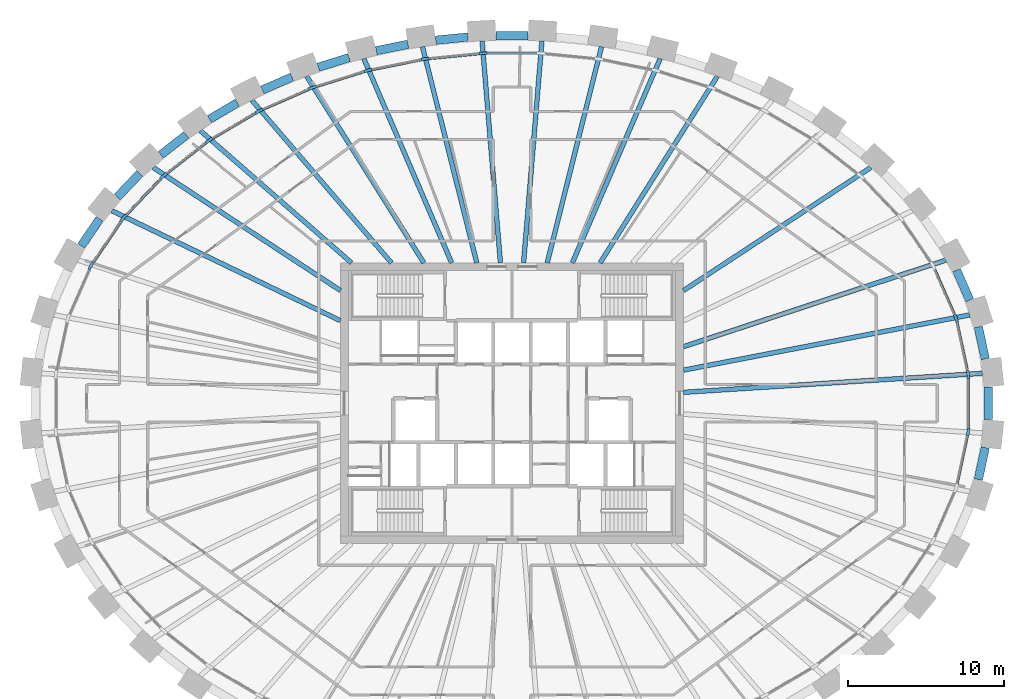
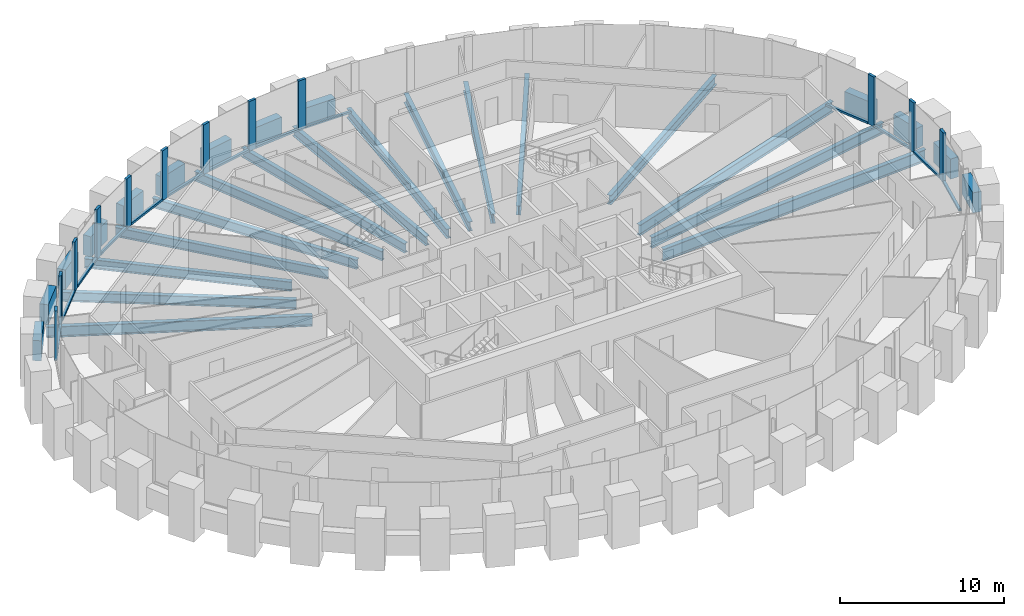
# One storey, part 3 of 12: 29 beams, 25 members, 1 element without a shape of its own.
"""IFC4 building model written with IfcOpenShell, lengths in metres."""

from ifc_helpers import new_model, si_unit, direction, frame, origin, origin_2d, place, context, subcontext, project, spatial, rectangle, i_section, extrude, source, transform, mapped, material, material_profile, profile_set, type_object, element, aggregate, save


model = new_model("IFC4")

# Units and contexts
model_context = context("Model", 3, precision=1e-05, world=origin(), true_north=direction((0.0, 1.0)))
body_context = subcontext(model_context, "Body", "Model", "MODEL_VIEW")
ifc_project = project(units=[si_unit("LENGTHUNIT", "METRE"), si_unit("AREAUNIT", "SQUARE_METRE"), si_unit("VOLUMEUNIT", "CUBIC_METRE"), si_unit("PLANEANGLEUNIT", "RADIAN"), si_unit("MASSUNIT", "GRAM", prefix="KILO")], contexts=[model_context])

# Site, building, storey
site_placement = place(None, origin())
site = spatial("IfcSite", under=ifc_project, at=site_placement, CompositionType="ELEMENT")
building_placement = place(site_placement, origin())
building = spatial("IfcBuilding", under=site, at=building_placement, Name="Embergate Tower", CompositionType="ELEMENT")
storey_placement = place(building_placement, frame((0.0, 0.0, 301.300048828125)))
storey = spatial("IfcBuildingStorey", under=building, at=storey_placement, Name="L70", CompositionType="ELEMENT", Elevation=301.300048828125)

# Beams
ifc_material_1 = material(Name="Steel Q355B", Category="steel")
ifc_material_profile_1 = material_profile(ifc_material_1, i_section(OverallWidth=0.300048828125, OverallDepth=0.699951171875, WebThickness=0.012939453125, FlangeThickness=0.02392578125, FilletRadius=0.01806640625, at=origin_2d()), Name="HN 700x300x13x24")
ifc_profile_set_1 = profile_set([ifc_material_profile_1], Name="Steel Q355 grade B")
beam_type_1 = type_object("IfcBeamType", Name="Radial girder HN 700x300x13x24", PredefinedType="BEAM", material=ifc_profile_set_1)
shared_shape_1 = source(origin(), body_context, "Body", "SweptSolid", [
    extrude(i_section(OverallWidth=0.300048828125, OverallDepth=0.699951171875, WebThickness=0.012939453125, FlangeThickness=0.02392578125, FilletRadius=0.01806640625, at=origin_2d()), origin(), (0.0, 0.0, 1.0), 13.742431640625),
])
beam_1_placement = place(storey_placement, frame((-16.681884765625, 19.426025390625, -0.550048828125), z_axis=(0.651474345674, -0.758670664339, 0.0), x_axis=(0.758670664339, 0.651474345674, 0.0)))
element("IfcBeam", 1, at=beam_1_placement, inside=storey, type_object=beam_type_1, Name="GIR-L70-15", PredefinedType="BEAM", context=body_context, shape_type="MappedRepresentation", body=[
    mapped(shared_shape_1, transform((0.0, 0.0, 0.0))),
])
ifc_material_2 = material(Name="Concrete C50", Category="concrete")
ifc_material_profile_2 = material_profile(ifc_material_2, rectangle(XDim=0.550048828125, YDim=1.5, at=origin_2d()), Name="RC 550x1500")
ifc_profile_set_2 = profile_set([ifc_material_profile_2], Name="Concrete C50")
beam_type_2 = type_object("IfcBeamType", Name="Spandrel beam RC 550x1500 C50", PredefinedType="BEAM", material=ifc_profile_set_2)
shared_shape_2 = source(origin(), body_context, "Body", "SweptSolid", [
    extrude(rectangle(XDim=0.550048828125, YDim=1.5, at=origin_2d()), origin(), (0.0, 0.0, 1.0), 2.10107421875),
])
for number, where, z_axis, x_axis, name in (
    (2, (30.346923828125, 2.841064453125, 0.0), (-0.210330547493, 0.977630329312, 0.0), (-0.977630329312, -0.210330547493, 0.0), "SPN-L70-00"),
    (3, (29.905029296875, -4.89501953125, 0.0), (0.210330547493, 0.977630329312, 0.0), (-0.977630329312, 0.210330547493, 0.0), "SPN-L70-42"),
):
    element("IfcBeam", number, at=place(storey_placement, frame(where, z_axis=z_axis, x_axis=x_axis)), inside=storey, type_object=beam_type_2, Name=name, PredefinedType="BEAM", context=body_context, shape_type="MappedRepresentation", body=[
        mapped(shared_shape_2, transform((0.0, 0.0, 0.0))),
    ])
shared_shape_3 = source(origin(), body_context, "Body", "SweptSolid", [
    extrude(rectangle(XDim=0.550048828125, YDim=1.5, at=origin_2d()), origin(), (0.0, 0.0, 1.0), 2.097900390625),
])
beam_2_placement = place(storey_placement, frame((29.35107421875, 6.60791015625, 0.0), z_axis=(-0.401825860592, 0.91571610107, 0.0), x_axis=(-0.91571610107, -0.401825860592, 0.0)))
element("IfcBeam", 4, at=beam_2_placement, inside=storey, type_object=beam_type_2, Name="SPN-L70-01", PredefinedType="BEAM", context=body_context, shape_type="MappedRepresentation", body=[
    mapped(shared_shape_3, transform((0.0, 0.0, 0.0))),
])
shared_shape_4 = source(origin(), body_context, "Body", "SweptSolid", [
    extrude(rectangle(XDim=0.550048828125, YDim=1.5, at=origin_2d()), origin(), (0.0, 0.0, 1.0), 2.09033203125),
])
beam_3_placement = place(storey_placement, frame((-26.444091796875, 11.822998046875, 0.0), z_axis=(-0.562009695033, -0.827130644269, 0.0), x_axis=(0.827130644269, -0.562009695033, 0.0)))
element("IfcBeam", 5, at=beam_3_placement, inside=storey, type_object=beam_type_2, Name="SPN-L70-18", PredefinedType="BEAM", context=body_context, shape_type="MappedRepresentation", body=[
    mapped(shared_shape_4, transform((0.0, 0.0, 0.0))),
])
shared_shape_5 = source(origin(), body_context, "Body", "SweptSolid", [
    extrude(rectangle(XDim=0.550048828125, YDim=1.5, at=origin_2d()), origin(), (0.0, 0.0, 1.0), 2.08447265625),
])
beam_4_placement = place(storey_placement, frame((-23.8740234375, 14.73095703125, 0.0), z_axis=(-0.690339235394, -0.72348582576, 0.0), x_axis=(0.72348582576, -0.690339235394, 0.0)))
element("IfcBeam", 6, at=beam_4_placement, inside=storey, type_object=beam_type_2, Name="SPN-L70-17", PredefinedType="BEAM", context=body_context, shape_type="MappedRepresentation", body=[
    mapped(shared_shape_5, transform((0.0, 0.0, 0.0))),
])
shared_shape_6 = source(origin(), body_context, "Body", "SweptSolid", [
    extrude(rectangle(XDim=0.550048828125, YDim=1.5, at=origin_2d()), origin(), (0.0, 0.0, 1.0), 2.0791015625),
])
beam_5_placement = place(storey_placement, frame((-20.887939453125, 17.2041015625, 0.0), z_axis=(-0.788383845435, -0.615183641084, 0.0), x_axis=(0.615183641084, -0.788383845435, 0.0)))
element("IfcBeam", 7, at=beam_5_placement, inside=storey, type_object=beam_type_2, Name="SPN-L70-16", PredefinedType="BEAM", context=body_context, shape_type="MappedRepresentation", body=[
    mapped(shared_shape_6, transform((0.0, 0.0, 0.0))),
])
shared_shape_7 = source(origin(), body_context, "Body", "SweptSolid", [
    extrude(rectangle(XDim=0.550048828125, YDim=1.5, at=origin_2d()), origin(), (0.0, 0.0, 1.0), 2.074462890625),
])
beam_6_placement = place(storey_placement, frame((-17.611083984375, 19.26806640625, 0.0), z_axis=(-0.861864620017, -0.507138419726, 0.0), x_axis=(0.507138419726, -0.861864620017, 0.0)))
element("IfcBeam", 8, at=beam_6_placement, inside=storey, type_object=beam_type_2, Name="SPN-L70-15", PredefinedType="BEAM", context=body_context, shape_type="MappedRepresentation", body=[
    mapped(shared_shape_7, transform((0.0, 0.0, 0.0))),
])
shared_shape_8 = source(origin(), body_context, "Body", "SweptSolid", [
    extrude(rectangle(XDim=0.550048828125, YDim=1.5, at=origin_2d()), origin(), (0.0, 0.0, 1.0), 2.073486328125),
])
beam_7_placement = place(storey_placement, frame((-14.10791015625, 20.916015625, 0.0), z_axis=(-0.91637608024, -0.400318472673, 0.0), x_axis=(0.400318472673, -0.91637608024, 0.0)))
element("IfcBeam", 9, at=beam_7_placement, inside=storey, type_object=beam_type_2, Name="SPN-L70-14", PredefinedType="BEAM", context=body_context, shape_type="MappedRepresentation", body=[
    mapped(shared_shape_8, transform((0.0, 0.0, 0.0))),
])
shared_shape_9 = source(origin(), body_context, "Body", "SweptSolid", [
    extrude(rectangle(XDim=0.550048828125, YDim=1.5, at=origin_2d()), origin(), (0.0, 0.0, 1.0), 2.07080078125),
])
beam_8_placement = place(storey_placement, frame((-10.445068359375, 22.160888671875, 0.0), z_axis=(-0.954735561173, -0.297455892917, 0.0), x_axis=(0.297455892917, -0.954735561173, 0.0)))
element("IfcBeam", 10, at=beam_8_placement, inside=storey, type_object=beam_type_2, Name="SPN-L70-13", PredefinedType="BEAM", context=body_context, shape_type="MappedRepresentation", body=[
    mapped(shared_shape_9, transform((0.0, 0.0, 0.0))),
])
shared_shape_10 = source(origin(), body_context, "Body", "SweptSolid", [
    extrude(rectangle(XDim=0.550048828125, YDim=1.5, at=origin_2d()), origin(), (0.0, 0.0, 1.0), 2.070556640625),
])
beam_9_placement = place(storey_placement, frame((-6.6708984375, 23.013916015625, 0.0), z_axis=(-0.980398860457, -0.197023030165, 0.0), x_axis=(0.197023030165, -0.980398860457, 0.0)))
element("IfcBeam", 11, at=beam_9_placement, inside=storey, type_object=beam_type_2, Name="SPN-L70-12", PredefinedType="BEAM", context=body_context, shape_type="MappedRepresentation", body=[
    mapped(shared_shape_10, transform((0.0, 0.0, 0.0))),
])
shared_shape_11 = source(origin(), body_context, "Body", "SweptSolid", [
    extrude(rectangle(XDim=0.550048828125, YDim=1.5, at=origin_2d()), origin(), (0.0, 0.0, 1.0), 2.06884765625),
])
beam_10_placement = place(storey_placement, frame((-2.83203125, 23.48095703125, 0.0), z_axis=(-0.995226952233, -0.097587466149, 0.0), x_axis=(0.097587466149, -0.995226952233, 0.0)))
element("IfcBeam", 12, at=beam_10_placement, inside=storey, type_object=beam_type_2, Name="SPN-L70-11", PredefinedType="BEAM", context=body_context, shape_type="MappedRepresentation", body=[
    mapped(shared_shape_11, transform((0.0, 0.0, 0.0))),
])
shared_shape_12 = source(origin(), body_context, "Body", "SweptSolid", [
    extrude(rectangle(XDim=0.550048828125, YDim=1.5, at=origin_2d()), origin(), (0.0, 0.0, 1.0), 2.06982421875),
])
beam_11_placement = place(storey_placement, frame((1.034912109375, 23.569091796875, 0.0), z_axis=(-1.0, 0.0, 0.0), x_axis=(0.0, -1.0, 0.0)))
element("IfcBeam", 13, at=beam_11_placement, inside=storey, type_object=beam_type_2, Name="SPN-L70-10", PredefinedType="BEAM", context=body_context, shape_type="MappedRepresentation", body=[
    mapped(shared_shape_12, transform((0.0, 0.0, 0.0))),
])
shared_shape_13 = source(origin(), body_context, "Body", "SweptSolid", [
    extrude(rectangle(XDim=0.550048828125, YDim=1.5, at=origin_2d()), origin(), (0.0, 0.0, 1.0), 2.10205078125),
])
beam_12_placement = place(storey_placement, frame((30.5380859375, -1.051025390625, 0.0), z_axis=(0.0, 1.0, 0.0), x_axis=(-1.0, 0.0, 0.0)))
element("IfcBeam", 14, at=beam_12_placement, inside=storey, type_object=beam_type_2, Name="SPN-L70-43", PredefinedType="BEAM", context=body_context, shape_type="MappedRepresentation", body=[
    mapped(shared_shape_13, transform((0.0, 0.0, 0.0))),
])
ifc_material_profile_3 = material_profile(ifc_material_1, i_section(OverallWidth=0.300048828125, OverallDepth=0.89990234375, WebThickness=0.01611328125, FlangeThickness=0.028076171875, FilletRadius=0.028076171875, at=origin_2d()), Name="HN 900x300x16x28")
ifc_profile_set_3 = profile_set([ifc_material_profile_3], Name="Steel Q355 grade B")
beam_type_3 = type_object("IfcBeamType", Name="Radial girder HN 900x300x16x28", PredefinedType="BEAM", material=ifc_profile_set_3)
shared_shape_14 = source(origin(), body_context, "Body", "SweptSolid", [
    extrude(i_section(OverallWidth=0.300048828125, OverallDepth=0.89990234375, WebThickness=0.01611328125, FlangeThickness=0.028076171875, FilletRadius=0.028076171875, at=origin_2d()), origin(), (0.0, 0.0, 1.0), 19.20166015625),
])
beam_13_placement = place(storey_placement, frame((30.1630859375, 1.916015625, -0.650146484375), z_axis=(-0.997989342147, -0.063381960844, 0.0), x_axis=(0.063381960844, -0.997989342147, 0.0)))
element("IfcBeam", 15, at=beam_13_placement, inside=storey, type_object=beam_type_3, Name="GIR-L70-00", PredefinedType="BEAM", context=body_context, shape_type="MappedRepresentation", body=[
    mapped(shared_shape_14, transform((0.0, 0.0, 0.0))),
])
ifc_material_profile_4 = material_profile(ifc_material_1, i_section(OverallWidth=0.300048828125, OverallDepth=0.800048828125, WebThickness=0.013916015625, FlangeThickness=0.02587890625, FilletRadius=0.028076171875, at=origin_2d()), Name="HN 800x300x14x26")
ifc_profile_set_4 = profile_set([ifc_material_profile_4], Name="Steel Q355 grade B")
beam_type_4 = type_object("IfcBeamType", Name="Radial girder HN 800x300x14x26", PredefinedType="BEAM", material=ifc_profile_set_4)
shared_shape_15 = source(origin(), body_context, "Body", "SweptSolid", [
    extrude(i_section(OverallWidth=0.300048828125, OverallDepth=0.800048828125, WebThickness=0.013916015625, FlangeThickness=0.02587890625, FilletRadius=0.028076171875, at=origin_2d()), origin(), (0.0, 0.0, 1.0), 18.6943359375),
])
beam_14_placement = place(storey_placement, frame((29.35595703125, 5.6630859375, -0.60009765625), z_axis=(-0.981896924723, -0.189416021549, 0.0), x_axis=(0.189416021549, -0.981896924723, 0.0)))
element("IfcBeam", 16, at=beam_14_placement, inside=storey, type_object=beam_type_4, Name="GIR-L70-01", PredefinedType="BEAM", context=body_context, shape_type="MappedRepresentation", body=[
    mapped(shared_shape_15, transform((0.0, 0.0, 0.0))),
])
shared_shape_16 = source(origin(), body_context, "Body", "SweptSolid", [
    extrude(i_section(OverallWidth=0.300048828125, OverallDepth=0.800048828125, WebThickness=0.013916015625, FlangeThickness=0.02587890625, FilletRadius=0.028076171875, at=origin_2d()), origin(), (0.0, 0.0, 1.0), 17.70703125),
])
beam_15_placement = place(storey_placement, frame((27.81591796875, 9.174072265625, -0.60009765625), z_axis=(-0.949680910183, -0.313219042897, 0.0), x_axis=(0.313219042897, -0.949680910183, 0.0)))
element("IfcBeam", 17, at=beam_15_placement, inside=storey, type_object=beam_type_4, Name="GIR-L70-02", PredefinedType="BEAM", context=body_context, shape_type="MappedRepresentation", body=[
    mapped(shared_shape_16, transform((0.0, 0.0, 0.0))),
])
shared_shape_17 = source(origin(), body_context, "Body", "SweptSolid", [
    extrude(i_section(OverallWidth=0.300048828125, OverallDepth=0.800048828125, WebThickness=0.013916015625, FlangeThickness=0.02587890625, FilletRadius=0.028076171875, at=origin_2d()), origin(), (0.0, 0.0, 1.0), 16.268310546875),
])
beam_16_placement = place(storey_placement, frame((-25.659912109375, 12.344970703125, -0.60009765625), z_axis=(0.901133717561, -0.433541258791, 0.0), x_axis=(0.433541258791, 0.901133717561, 0.0)))
element("IfcBeam", 18, at=beam_16_placement, inside=storey, type_object=beam_type_4, Name="GIR-L70-18", PredefinedType="BEAM", context=body_context, shape_type="MappedRepresentation", body=[
    mapped(shared_shape_17, transform((0.0, 0.0, 0.0))),
])
shared_shape_18 = source(origin(), body_context, "Body", "SweptSolid", [
    extrude(i_section(OverallWidth=0.300048828125, OverallDepth=0.699951171875, WebThickness=0.012939453125, FlangeThickness=0.02392578125, FilletRadius=0.01806640625, at=origin_2d()), origin(), (0.0, 0.0, 1.0), 14.3740234375),
])
for number, where, z_axis, x_axis, name in (
    (19, (23.012939453125, 15.1201171875, -0.550048828125), (-0.835742226811, -0.549121963069, 0.0), (0.549121963069, -0.835742226811, 0.0), "GIR-L70-04"),
    (20, (-23.012939453125, 15.1201171875, -0.550048828125), (0.835742226811, -0.549121963069, 0.0), (0.549121963069, 0.835742226811, 0.0), "GIR-L70-17"),
):
    element("IfcBeam", number, at=place(storey_placement, frame(where, z_axis=z_axis, x_axis=x_axis)), inside=storey, type_object=beam_type_1, Name=name, PredefinedType="BEAM", context=body_context, shape_type="MappedRepresentation", body=[
        mapped(shared_shape_18, transform((0.0, 0.0, 0.0))),
    ])
shared_shape_19 = source(origin(), body_context, "Body", "SweptSolid", [
    extrude(i_section(OverallWidth=0.300048828125, OverallDepth=0.699951171875, WebThickness=0.012939453125, FlangeThickness=0.02392578125, FilletRadius=0.01806640625, at=origin_2d()), origin(), (0.0, 0.0, 1.0), 12.88330078125),
])
beam_17_placement = place(storey_placement, frame((-19.989013671875, 17.48095703125, -0.550048828125), z_axis=(0.752760969036, -0.658293949157, 0.0), x_axis=(0.658293949157, 0.752760969036, 0.0)))
element("IfcBeam", 21, at=beam_17_placement, inside=storey, type_object=beam_type_1, Name="GIR-L70-16", PredefinedType="BEAM", context=body_context, shape_type="MappedRepresentation", body=[
    mapped(shared_shape_19, transform((0.0, 0.0, 0.0))),
])
shared_shape_20 = source(origin(), body_context, "Body", "SweptSolid", [
    extrude(i_section(OverallWidth=0.300048828125, OverallDepth=0.699951171875, WebThickness=0.012939453125, FlangeThickness=0.02392578125, FilletRadius=0.01806640625, at=origin_2d()), origin(), (0.0, 0.0, 1.0), 14.126953125),
])
for number, where, z_axis, x_axis, name in (
    (22, (13.166015625, 20.962890625, -0.550048828125), (-0.531886600535, -0.846815590416, 0.0), (0.846815590416, -0.531886600535, 0.0), "GIR-L70-07"),
    (23, (-13.166015625, 20.962890625, -0.550048828125), (0.531886600535, -0.846815590416, 0.0), (0.846815590416, 0.531886600535, 0.0), "GIR-L70-14"),
):
    element("IfcBeam", number, at=place(storey_placement, frame(where, z_axis=z_axis, x_axis=x_axis)), inside=storey, type_object=beam_type_1, Name=name, PredefinedType="BEAM", context=body_context, shape_type="MappedRepresentation", body=[
        mapped(shared_shape_20, transform((0.0, 0.0, 0.0))),
    ])
shared_shape_21 = source(origin(), body_context, "Body", "SweptSolid", [
    extrude(i_section(OverallWidth=0.300048828125, OverallDepth=0.699951171875, WebThickness=0.012939453125, FlangeThickness=0.02392578125, FilletRadius=0.01806640625, at=origin_2d()), origin(), (0.0, 0.0, 1.0), 14.263427734375),
])
for number, where, z_axis, x_axis, name in (
    (24, (9.501953125, 22.10400390625, -0.550048828125), (-0.394929229866, -0.918711545262, 0.0), (0.918711545262, -0.394929229866, 0.0), "GIR-L70-08"),
    (25, (-9.501953125, 22.10400390625, -0.550048828125), (0.394929229866, -0.918711545262, 0.0), (0.918711545262, 0.394929229866, 0.0), "GIR-L70-13"),
):
    element("IfcBeam", number, at=place(storey_placement, frame(where, z_axis=z_axis, x_axis=x_axis)), inside=storey, type_object=beam_type_1, Name=name, PredefinedType="BEAM", context=body_context, shape_type="MappedRepresentation", body=[
        mapped(shared_shape_21, transform((0.0, 0.0, 0.0))),
    ])
shared_shape_22 = source(origin(), body_context, "Body", "SweptSolid", [
    extrude(i_section(OverallWidth=0.300048828125, OverallDepth=0.699951171875, WebThickness=0.012939453125, FlangeThickness=0.02392578125, FilletRadius=0.01806640625, at=origin_2d()), origin(), (0.0, 0.0, 1.0), 14.288818359375),
])
for number, where, z_axis, x_axis, name in (
    (26, (5.738037109375, 22.85888671875, -0.550048828125), (-0.243476248961, -0.969906859545, 0.0), (0.969906859545, -0.243476248961, 0.0), "GIR-L70-09"),
    (27, (-5.738037109375, 22.85888671875, -0.550048828125), (0.243476248961, -0.969906859545, 0.0), (0.969906859545, 0.243476248961, 0.0), "GIR-L70-12"),
):
    element("IfcBeam", number, at=place(storey_placement, frame(where, z_axis=z_axis, x_axis=x_axis)), inside=storey, type_object=beam_type_1, Name=name, PredefinedType="BEAM", context=body_context, shape_type="MappedRepresentation", body=[
        mapped(shared_shape_22, transform((0.0, 0.0, 0.0))),
    ])
shared_shape_23 = source(origin(), body_context, "Body", "SweptSolid", [
    extrude(i_section(OverallWidth=0.300048828125, OverallDepth=0.699951171875, WebThickness=0.012939453125, FlangeThickness=0.02392578125, FilletRadius=0.01806640625, at=origin_2d()), origin(), (0.0, 0.0, 1.0), 14.282470703125),
])
for number, where, z_axis, x_axis, name in (
    (28, (1.9189453125, 23.23388671875, -0.550048828125), (-0.082340957712, -0.996604217673, 0.0), (0.996604217673, -0.082340957712, 0.0), "GIR-L70-10"),
    (29, (-1.9189453125, 23.23388671875, -0.550048828125), (0.082340957712, -0.996604217673, 0.0), (0.996604217673, 0.082340957712, 0.0), "GIR-L70-11"),
):
    element("IfcBeam", number, at=place(storey_placement, frame(where, z_axis=z_axis, x_axis=x_axis)), inside=storey, type_object=beam_type_1, Name=name, PredefinedType="BEAM", context=body_context, shape_type="MappedRepresentation", body=[
        mapped(shared_shape_23, transform((0.0, 0.0, 0.0))),
    ])

# Curtain wall, members
ifc_material_3 = material(Name="Aluminium and glass", Category="aluminium")
curtain_wall_type = type_object("IfcCurtainWallType", Name="Recessed office glazing", PredefinedType="NOTDEFINED", material=ifc_material_3)
curtain_wall_placement = place(storey_placement, origin())
curtain_wall = element("IfcCurtainWall", 30, at=curtain_wall_placement, inside=storey, type_object=curtain_wall_type, Name="Recessed office glazing ring", ObjectType="RECESSED OFFICE GLAZING", PredefinedType="USERDEFINED")
ifc_material_4 = material(Name="Aluminium, thermally broken", Category="aluminium")
ifc_material_profile_5 = material_profile(ifc_material_4, rectangle(XDim=0.179931640625, YDim=0.52001953125, at=origin_2d()), Name="AL 520x180")
ifc_profile_set_5 = profile_set([ifc_material_profile_5], Name="Aluminium, thermally broken")
member_type_1 = type_object("IfcMemberType", Name="Office mullion", PredefinedType="MULLION", material=ifc_profile_set_5)
shared_shape_24 = source(origin(), body_context, "Body", "SweptSolid", [
    extrude(rectangle(XDim=0.179931640625, YDim=0.52001953125, at=origin_2d()), origin(), (0.0, 0.0, 1.0), 3.699951171875),
])
member_1_placement = place(storey_placement, frame((29.252197265625, 1.84130859375, 0.0), z_axis=(0.0, 0.0, 1.0), x_axis=(-0.994384215926, -0.105830199459, 0.0)))
member_1 = element("IfcMember", 31, at=member_1_placement, type_object=member_type_1, Name="CW mullion 1", PredefinedType="MULLION", context=body_context, shape_type="MappedRepresentation", body=[
    mapped(shared_shape_24, transform((0.0, 0.0, 0.0))),
])
member_2_placement = place(storey_placement, frame((28.47705078125, 5.44384765625, 0.0), z_axis=(0.0, 0.0, 1.0), x_axis=(-0.951492965233, -0.307670500881, 0.0)))
member_2 = element("IfcMember", 32, at=member_2_placement, type_object=member_type_1, Name="CW mullion 2", PredefinedType="MULLION", context=body_context, shape_type="MappedRepresentation", body=[
    mapped(shared_shape_24, transform((0.0, 0.0, 0.0))),
])
member_3_placement = place(storey_placement, frame((-1.86669921875, 22.4423828125, 0.0), z_axis=(0.0, 0.0, 1.0), x_axis=(0.048971796621, -0.998800161762, 0.0)))
member_3 = element("IfcMember", 33, at=member_3_placement, type_object=member_type_1, Name="CW mullion 12", PredefinedType="MULLION", context=body_context, shape_type="MappedRepresentation", body=[
    mapped(shared_shape_24, transform((0.0, 0.0, 0.0))),
])
member_4_placement = place(storey_placement, frame((-5.581787109375, 22.0771484375, 0.0), z_axis=(0.0, 0.0, 1.0), x_axis=(0.147412382818, -0.989075118174, 0.0)))
member_4 = element("IfcMember", 34, at=member_4_placement, type_object=member_type_1, Name="CW mullion 13", PredefinedType="MULLION", context=body_context, shape_type="MappedRepresentation", body=[
    mapped(shared_shape_24, transform((0.0, 0.0, 0.0))),
])
member_5_placement = place(storey_placement, frame((-9.240478515625, 21.343505859375, 0.0), z_axis=(0.0, 0.0, 1.0), x_axis=(0.24731188137, -0.968935928394, 0.0)))
member_5 = element("IfcMember", 35, at=member_5_placement, type_object=member_type_1, Name="CW mullion 14", PredefinedType="MULLION", context=body_context, shape_type="MappedRepresentation", body=[
    mapped(shared_shape_24, transform((0.0, 0.0, 0.0))),
])
member_6_placement = place(storey_placement, frame((-12.801513671875, 20.234619140625, 0.0), z_axis=(0.0, 0.0, 1.0), x_axis=(0.349501047589, -0.936935973124, 0.0)))
member_6 = element("IfcMember", 36, at=member_6_placement, type_object=member_type_1, Name="CW mullion 15", PredefinedType="MULLION", context=body_context, shape_type="MappedRepresentation", body=[
    mapped(shared_shape_24, transform((0.0, 0.0, 0.0))),
])
member_7_placement = place(storey_placement, frame((-16.2158203125, 18.741455078125, 0.0), z_axis=(0.0, 0.0, 1.0), x_axis=(0.454508271251, -0.890742516872, 0.0)))
member_7 = element("IfcMember", 37, at=member_7_placement, type_object=member_type_1, Name="CW mullion 16", PredefinedType="MULLION", context=body_context, shape_type="MappedRepresentation", body=[
    mapped(shared_shape_24, transform((0.0, 0.0, 0.0))),
])
member_8_placement = place(storey_placement, frame((-19.42431640625, 16.855224609375, 0.0), z_axis=(0.0, 0.0, 1.0), x_axis=(0.56221328843, -0.826992272221, 0.0)))
member_8 = element("IfcMember", 38, at=member_8_placement, type_object=member_type_1, Name="CW mullion 17", PredefinedType="MULLION", context=body_context, shape_type="MappedRepresentation", body=[
    mapped(shared_shape_24, transform((0.0, 0.0, 0.0))),
])
member_9_placement = place(storey_placement, frame((-22.353759765625, 14.56884765625, 0.0), z_axis=(0.0, 0.0, 1.0), x_axis=(0.671220065284, -0.741258135847, 0.0)))
member_9 = element("IfcMember", 39, at=member_9_placement, type_object=member_type_1, Name="CW mullion 18", PredefinedType="MULLION", context=body_context, shape_type="MappedRepresentation", body=[
    mapped(shared_shape_24, transform((0.0, 0.0, 0.0))),
])
member_10_placement = place(storey_placement, frame((-24.913330078125, 11.884765625, 0.0), z_axis=(0.0, 0.0, 1.0), x_axis=(0.777863789852, -0.628432911643, 0.0)))
member_10 = element("IfcMember", 40, at=member_10_placement, type_object=member_type_1, Name="CW mullion 19", PredefinedType="MULLION", context=body_context, shape_type="MappedRepresentation", body=[
    mapped(shared_shape_24, transform((0.0, 0.0, 0.0))),
])
member_11_placement = place(storey_placement, frame((-26.994140625, 8.824951171875, 0.0), z_axis=(0.0, 0.0, 1.0), x_axis=(0.87499344622, -0.484134763338, 0.0)))
member_11 = element("IfcMember", 41, at=member_11_placement, type_object=member_type_1, Name="CW mullion 20", PredefinedType="MULLION", context=body_context, shape_type="MappedRepresentation", body=[
    mapped(shared_shape_24, transform((0.0, 0.0, 0.0))),
])
member_12_placement = place(storey_placement, frame((29.252197265625, -1.84130859375, 0.0), z_axis=(0.0, 0.0, 1.0), x_axis=(-0.994384215926, 0.105830199459, 0.0)))
member_12 = element("IfcMember", 42, at=member_12_placement, type_object=member_type_1, Name="CW mullion 44", PredefinedType="MULLION", context=body_context, shape_type="MappedRepresentation", body=[
    mapped(shared_shape_24, transform((0.0, 0.0, 0.0))),
])
ifc_material_profile_6 = material_profile(ifc_material_4, rectangle(XDim=0.179931640625, YDim=0.14990234375, at=origin_2d()), Name="AL 150x180")
ifc_profile_set_6 = profile_set([ifc_material_profile_6], Name="Aluminium, thermally broken")
member_type_2 = type_object("IfcMemberType", Name="Office sill transom", PredefinedType="USERDEFINED", material=ifc_profile_set_6)
shared_shape_25 = source(origin(), body_context, "Body", "SweptSolid", [
    extrude(rectangle(XDim=0.179931640625, YDim=0.14990234375, at=origin_2d()), origin(), (0.0, 0.0, 1.0), 3.1650390625),
])
member_13_placement = place(storey_placement, frame((29.197509765625, 2.095458984375, 0.074951171875), z_axis=(-0.210350798958, 0.977625972127, 0.0), x_axis=(-0.977625972127, -0.210350798958, 0.0)))
member_13 = element("IfcMember", 43, at=member_13_placement, type_object=member_type_2, Name="CW transom 1.1", ObjectType="TRANSOM", PredefinedType="USERDEFINED", context=body_context, shape_type="MappedRepresentation", body=[
    mapped(shared_shape_25, transform((0.0, 0.0, 0.0))),
])
member_14_placement = place(storey_placement, frame((28.53173828125, -5.189697265625, 0.074951171875), z_axis=(0.210350798958, 0.977625972127, 0.0), x_axis=(-0.977625972127, 0.210350798958, 0.0)))
member_14 = element("IfcMember", 44, at=member_14_placement, type_object=member_type_2, Name="CW transom 43.1", ObjectType="TRANSOM", PredefinedType="USERDEFINED", context=body_context, shape_type="MappedRepresentation", body=[
    mapped(shared_shape_25, transform((0.0, 0.0, 0.0))),
])
shared_shape_26 = source(origin(), body_context, "Body", "SweptSolid", [
    extrude(rectangle(XDim=0.179931640625, YDim=0.14990234375, at=origin_2d()), origin(), (0.0, 0.0, 1.0), 3.172119140625),
])
member_15_placement = place(storey_placement, frame((28.37255859375, 5.681884765625, 0.074951171875), z_axis=(-0.401606005278, 0.915812544424, 0.0), x_axis=(-0.915812544424, -0.401606005278, 0.0)))
member_15 = element("IfcMember", 45, at=member_15_placement, type_object=member_type_2, Name="CW transom 2.1", ObjectType="TRANSOM", PredefinedType="USERDEFINED", context=body_context, shape_type="MappedRepresentation", body=[
    mapped(shared_shape_26, transform((0.0, 0.0, 0.0))),
])
shared_shape_27 = source(origin(), body_context, "Body", "SweptSolid", [
    extrude(rectangle(XDim=0.179931640625, YDim=0.14990234375, at=origin_2d()), origin(), (0.0, 0.0, 1.0), 3.180419921875),
])
member_16_placement = place(storey_placement, frame((-25.0595703125, 11.669921875, 0.074951171875), z_axis=(-0.562276427382, -0.826949345009, 0.0), x_axis=(0.826949345009, -0.562276427382, 0.0)))
member_16 = element("IfcMember", 46, at=member_16_placement, type_object=member_type_2, Name="CW transom 19.1", ObjectType="TRANSOM", PredefinedType="USERDEFINED", context=body_context, shape_type="MappedRepresentation", body=[
    mapped(shared_shape_27, transform((0.0, 0.0, 0.0))),
])
shared_shape_28 = source(origin(), body_context, "Body", "SweptSolid", [
    extrude(rectangle(XDim=0.179931640625, YDim=0.14990234375, at=origin_2d()), origin(), (0.0, 0.0, 1.0), 3.188720703125),
])
member_17_placement = place(storey_placement, frame((-22.533203125, 14.380615234375, 0.074951171875), z_axis=(-0.690140615527, -0.723675293761, 0.0), x_axis=(0.723675293761, -0.690140615527, 0.0)))
member_17 = element("IfcMember", 47, at=member_17_placement, type_object=member_type_2, Name="CW transom 18.1", ObjectType="TRANSOM", PredefinedType="USERDEFINED", context=body_context, shape_type="MappedRepresentation", body=[
    mapped(shared_shape_28, transform((0.0, 0.0, 0.0))),
])
shared_shape_29 = source(origin(), body_context, "Body", "SweptSolid", [
    extrude(rectangle(XDim=0.179931640625, YDim=0.14990234375, at=origin_2d()), origin(), (0.0, 0.0, 1.0), 3.196044921875),
])
member_18_placement = place(storey_placement, frame((-19.629150390625, 16.6953125, 0.074951171875), z_axis=(-0.788302228684, -0.615288222098, 0.0), x_axis=(0.615288222098, -0.788302228684, 0.0)))
member_18 = element("IfcMember", 48, at=member_18_placement, type_object=member_type_2, Name="CW transom 17.1", ObjectType="TRANSOM", PredefinedType="USERDEFINED", context=body_context, shape_type="MappedRepresentation", body=[
    mapped(shared_shape_29, transform((0.0, 0.0, 0.0))),
])
shared_shape_30 = source(origin(), body_context, "Body", "SweptSolid", [
    extrude(rectangle(XDim=0.179931640625, YDim=0.14990234375, at=origin_2d()), origin(), (0.0, 0.0, 1.0), 3.201904296875),
])
member_19_placement = place(storey_placement, frame((-16.43994140625, 18.609619140625, 0.074951171875), z_axis=(-0.862053756613, -0.506816851248, 0.0), x_axis=(0.506816851248, -0.862053756613, 0.0)))
member_19 = element("IfcMember", 49, at=member_19_placement, type_object=member_type_2, Name="CW transom 16.1", ObjectType="TRANSOM", PredefinedType="USERDEFINED", context=body_context, shape_type="MappedRepresentation", body=[
    mapped(shared_shape_30, transform((0.0, 0.0, 0.0))),
])
shared_shape_31 = source(origin(), body_context, "Body", "SweptSolid", [
    extrude(rectangle(XDim=0.179931640625, YDim=0.14990234375, at=origin_2d()), origin(), (0.0, 0.0, 1.0), 3.206298828125),
])
member_20_placement = place(storey_placement, frame((-13.039794921875, 20.13037109375, 0.074951171875), z_axis=(-0.916225475643, -0.400663047688, 0.0), x_axis=(0.400663047688, -0.916225475643, 0.0)))
member_20 = element("IfcMember", 50, at=member_20_placement, type_object=member_type_2, Name="CW transom 15.1", ObjectType="TRANSOM", PredefinedType="USERDEFINED", context=body_context, shape_type="MappedRepresentation", body=[
    mapped(shared_shape_31, transform((0.0, 0.0, 0.0))),
])
shared_shape_32 = source(origin(), body_context, "Body", "SweptSolid", [
    extrude(rectangle(XDim=0.179931640625, YDim=0.14990234375, at=origin_2d()), origin(), (0.0, 0.0, 1.0), 3.20947265625),
])
member_21_placement = place(storey_placement, frame((-9.489013671875, 21.26611328125, 0.074951171875), z_axis=(-0.954765144534, -0.297360923431, 0.0), x_axis=(0.297360923431, -0.954765144534, 0.0)))
member_21 = element("IfcMember", 51, at=member_21_placement, type_object=member_type_2, Name="CW transom 14.1", ObjectType="TRANSOM", PredefinedType="USERDEFINED", context=body_context, shape_type="MappedRepresentation", body=[
    mapped(shared_shape_32, transform((0.0, 0.0, 0.0))),
])
shared_shape_33 = source(origin(), body_context, "Body", "SweptSolid", [
    extrude(rectangle(XDim=0.179931640625, YDim=0.14990234375, at=origin_2d()), origin(), (0.0, 0.0, 1.0), 3.211669921875),
])
member_22_placement = place(storey_placement, frame((-5.836669921875, 22.026123046875, 0.074951171875), z_axis=(-0.980472347912, -0.196656998298, 0.0), x_axis=(0.196656998298, -0.980472347912, 0.0)))
member_22 = element("IfcMember", 52, at=member_22_placement, type_object=member_type_2, Name="CW transom 13.1", ObjectType="TRANSOM", PredefinedType="USERDEFINED", context=body_context, shape_type="MappedRepresentation", body=[
    mapped(shared_shape_33, transform((0.0, 0.0, 0.0))),
])
shared_shape_34 = source(origin(), body_context, "Body", "SweptSolid", [
    extrude(rectangle(XDim=0.179931640625, YDim=0.14990234375, at=origin_2d()), origin(), (0.0, 0.0, 1.0), 3.212890625),
])
member_23_placement = place(storey_placement, frame((-2.12548828125, 22.4169921875, 0.074951171875), z_axis=(-0.995206508067, -0.097795737641, 0.0), x_axis=(0.097795737641, -0.995206508067, 0.0)))
member_23 = element("IfcMember", 53, at=member_23_placement, type_object=member_type_2, Name="CW transom 12.1", ObjectType="TRANSOM", PredefinedType="USERDEFINED", context=body_context, shape_type="MappedRepresentation", body=[
    mapped(shared_shape_34, transform((0.0, 0.0, 0.0))),
])
shared_shape_35 = source(origin(), body_context, "Body", "SweptSolid", [
    extrude(rectangle(XDim=0.179931640625, YDim=0.14990234375, at=origin_2d()), origin(), (0.0, 0.0, 1.0), 3.21337890625),
])
member_24_placement = place(storey_placement, frame((1.606689453125, 22.4423828125, 0.074951171875), z_axis=(-1.0, 0.0, 0.0), x_axis=(0.0, -1.0, 0.0)))
member_24 = element("IfcMember", 54, at=member_24_placement, type_object=member_type_2, Name="CW transom 11.1", ObjectType="TRANSOM", PredefinedType="USERDEFINED", context=body_context, shape_type="MappedRepresentation", body=[
    mapped(shared_shape_35, transform((0.0, 0.0, 0.0))),
])
shared_shape_36 = source(origin(), body_context, "Body", "SweptSolid", [
    extrude(rectangle(XDim=0.179931640625, YDim=0.14990234375, at=origin_2d()), origin(), (0.0, 0.0, 1.0), 3.16259765625),
])
member_25_placement = place(storey_placement, frame((29.252197265625, -1.581298828125, 0.074951171875), z_axis=(0.0, 1.0, 0.0), x_axis=(-1.0, 0.0, 0.0)))
member_25 = element("IfcMember", 55, at=member_25_placement, type_object=member_type_2, Name="CW transom 44.1", ObjectType="TRANSOM", PredefinedType="USERDEFINED", context=body_context, shape_type="MappedRepresentation", body=[
    mapped(shared_shape_36, transform((0.0, 0.0, 0.0))),
])
aggregate(curtain_wall, [member_1, member_2, member_3, member_4, member_5, member_6, member_7, member_8, member_9, member_10, member_11, member_12, member_13, member_15, member_24, member_23, member_22, member_21, member_20, member_19, member_18, member_17, member_16, member_14, member_25])

save(model, "model.ifc")
